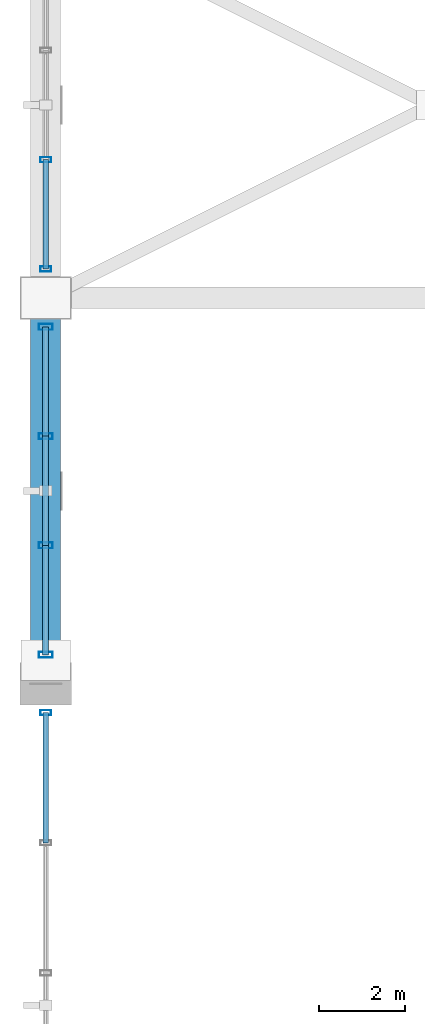
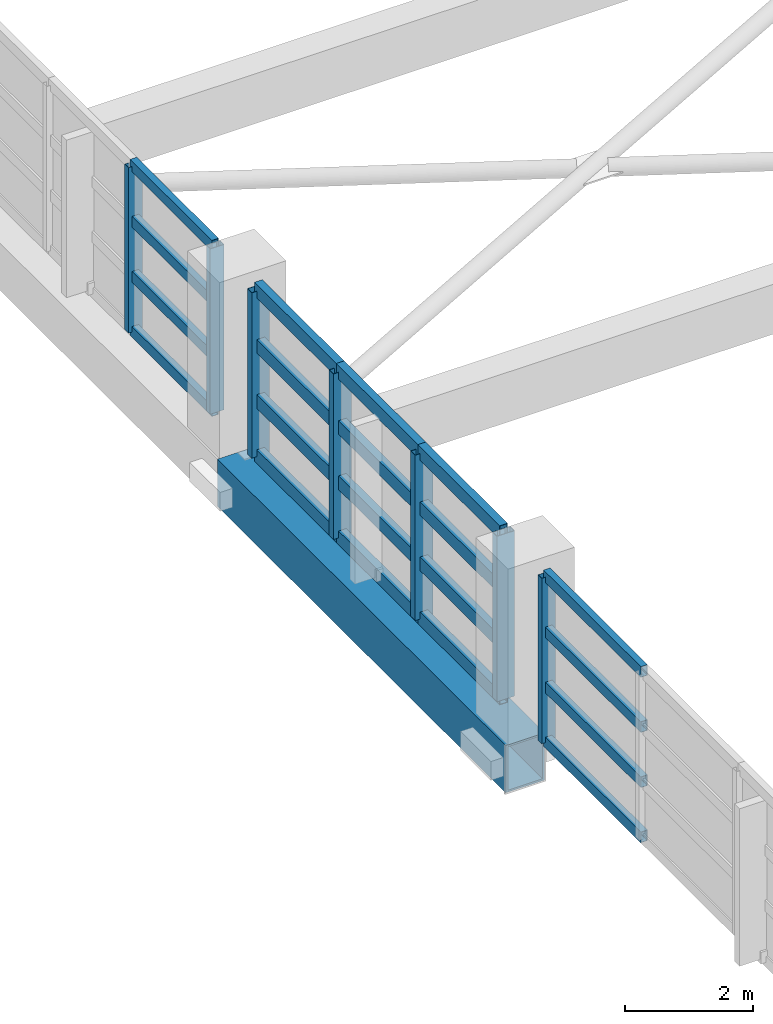
# One storey, part 38 of 116: 27 members, 1 beam, 3 elements without a shape of their own.
"""IFC4 building model written with IfcOpenShell, lengths in metres."""

from ifc_helpers import new_model, si_unit, direction, frame, origin, origin_2d, place, context, subcontext, project, spatial, hollow_rectangle, extrude, material, material_profile, profile_set, type_object, element, aggregate, save


model = new_model("IFC4")

# Units and contexts
model_context = context("Model", 3, precision=1e-05, world=origin(), true_north=direction((0.0, 1.0)))
body_context = subcontext(model_context, "Body", "Model", "MODEL_VIEW")
ifc_project = project(units=[si_unit("LENGTHUNIT", "METRE"), si_unit("AREAUNIT", "SQUARE_METRE"), si_unit("VOLUMEUNIT", "CUBIC_METRE"), si_unit("PLANEANGLEUNIT", "RADIAN"), si_unit("MASSUNIT", "GRAM", prefix="KILO")], contexts=[model_context])

# Site, building, storey
site_placement = place(None, origin())
site = spatial("IfcSite", under=ifc_project, at=site_placement, CompositionType="ELEMENT")
building_placement = place(site_placement, origin())
building = spatial("IfcBuilding", under=site, at=building_placement, Name="Chuanluo Vaults Station", CompositionType="ELEMENT")
storey_placement = place(building_placement, frame((0.0, 0.0, 10.800048828125)))
storey = spatial("IfcBuildingStorey", under=building, at=storey_placement, Name="L02", CompositionType="ELEMENT", Elevation=10.800048828125)

# Beam
ifc_material_1 = material(Name="Steel Q390C", Category="steel")
ifc_material_profile_1 = material_profile(ifc_material_1, hollow_rectangle(XDim=0.699951171875, YDim=0.89990234375, WallThickness=0.035888671875, at=origin_2d()))
ifc_profile_set_1 = profile_set([ifc_material_profile_1], Name="Steel Q390C")
beam_type = type_object("IfcBeamType", Name="BM-TT-TOP", PredefinedType="USERDEFINED", material=ifc_profile_set_1)
beam_placement = place(storey_placement, frame((0.0, 67.5, -0.85009765625), z_axis=(0.0, 1.0, 0.0), x_axis=(-1.0, 0.0, 0.0)))
element("IfcBeam", 1, at=beam_placement, inside=storey, type_object=beam_type, Name="Transfer truss TT-1 top chord 1", ObjectType="GIRDER", PredefinedType="USERDEFINED", context=body_context, shape_type="SweptSolid", body=[
    extrude(hollow_rectangle(XDim=0.699951171875, YDim=0.89990234375, WallThickness=0.035888671875, at=origin_2d()), origin(), (0.0, 0.0, 1.0), 9.0),
])

# Curtain wall, member
ifc_material_2 = material(Name="Anodised aluminium 6063-T6", Category="aluminium")
curtain_wall_type_1 = type_object("IfcCurtainWallType", Name="CW-SYS-11", PredefinedType="NOTDEFINED", material=ifc_material_2)
curtain_wall_1_placement = place(storey_placement, origin())
curtain_wall_1 = element("IfcCurtainWall", 2, at=curtain_wall_1_placement, inside=storey, type_object=curtain_wall_type_1, Name="Train shed west clerestory CW 54", PredefinedType="NOTDEFINED")
ifc_material_3 = material(Name="Anodised aluminium 6063-T6", Category="aluminium")
ifc_material_profile_2 = material_profile(ifc_material_3, hollow_rectangle(XDim=0.1201171875, YDim=0.25, WallThickness=0.006103515625, at=origin_2d()))
ifc_profile_set_2 = profile_set([ifc_material_profile_2], Name="Anodised aluminium 6063-T6")
member_type_1 = type_object("IfcMemberType", Name="CWM-160", PredefinedType="MULLION", material=ifc_profile_set_2)
member_1_placement = place(storey_placement, frame((0.0, 66.824951171875, 0.0), z_axis=(0.0, 0.0, 1.0), x_axis=(0.0, 1.0, 0.0)))
member_1 = element("IfcMember", 3, at=member_1_placement, type_object=member_type_1, Name="Train shed west clerestory CW 54 mullion 5", PredefinedType="MULLION", context=body_context, shape_type="SweptSolid", body=[
    extrude(hollow_rectangle(XDim=0.1201171875, YDim=0.25, WallThickness=0.006103515625, at=origin_2d()), origin(), (0.0, 0.0, 1.0), 3.14990234375),
])

# Curtain wall, members
ifc_material_4 = material(Name="Anodised aluminium 6063-T6", Category="aluminium")
curtain_wall_type_2 = type_object("IfcCurtainWallType", Name="CW-SYS-15", PredefinedType="NOTDEFINED", material=ifc_material_4)
curtain_wall_2_placement = place(storey_placement, origin())
curtain_wall_2 = element("IfcCurtainWall", 4, at=curtain_wall_2_placement, inside=storey, type_object=curtain_wall_type_2, Name="Train shed west clerestory CW 76", PredefinedType="NOTDEFINED")
member_2_placement = place(storey_placement, frame((0.0, 77.175048828125, 0.0), z_axis=(0.0, 0.0, 1.0), x_axis=(0.0, 1.0, 0.0)))
member_2 = element("IfcMember", 5, at=member_2_placement, type_object=member_type_1, Name="Train shed west clerestory CW 76 mullion 1", PredefinedType="MULLION", context=body_context, shape_type="SweptSolid", body=[
    extrude(hollow_rectangle(XDim=0.1201171875, YDim=0.25, WallThickness=0.006103515625, at=origin_2d()), origin(), (0.0, 0.0, 1.0), 3.14990234375),
])
member_3_placement = place(storey_placement, frame((0.0, 79.72509765625, 0.0), z_axis=(0.0, 0.0, 1.0), x_axis=(0.0, 1.0, 0.0)))
member_3 = element("IfcMember", 6, at=member_3_placement, type_object=member_type_1, Name="Train shed west clerestory CW 76 mullion 2", PredefinedType="MULLION", context=body_context, shape_type="SweptSolid", body=[
    extrude(hollow_rectangle(XDim=0.1201171875, YDim=0.25, WallThickness=0.006103515625, at=origin_2d()), origin(), (0.0, 0.0, 1.0), 3.14990234375),
])

ifc_material_5 = material(Name="Anodised aluminium 6063-T6", Category="aluminium")
curtain_wall_type_3 = type_object("IfcCurtainWallType", Name="CW-SYS-13", PredefinedType="NOTDEFINED", material=ifc_material_5)
curtain_wall_3_placement = place(storey_placement, origin())
curtain_wall_3 = element("IfcCurtainWall", 7, at=curtain_wall_3_placement, inside=storey, type_object=curtain_wall_type_3, Name="Train shed west clerestory CW 67", PredefinedType="NOTDEFINED")
ifc_material_6 = material(Name="Anodised aluminium 6063-T6", Category="aluminium")
ifc_material_profile_3 = material_profile(ifc_material_6, hollow_rectangle(XDim=0.139892578125, YDim=0.320068359375, WallThickness=0.008056640625, at=origin_2d()))
ifc_profile_set_3 = profile_set([ifc_material_profile_3], Name="Anodised aluminium 6063-T6")
member_type_2 = type_object("IfcMemberType", Name="CWM-220", PredefinedType="MULLION", material=ifc_profile_set_3)
member_4_placement = place(storey_placement, frame((0.0, 68.175048828125, 0.0), z_axis=(0.0, 0.0, 1.0), x_axis=(0.0, 1.0, 0.0)))
member_4 = element("IfcMember", 8, at=member_4_placement, type_object=member_type_2, Name="Train shed west clerestory CW 67 mullion 1", PredefinedType="MULLION", context=body_context, shape_type="SweptSolid", body=[
    extrude(hollow_rectangle(XDim=0.139892578125, YDim=0.320068359375, WallThickness=0.008056640625, at=origin_2d()), origin(), (0.0, 0.0, 1.0), 3.14990234375),
])
member_5_placement = place(storey_placement, frame((0.0, 70.72509765625, 0.0), z_axis=(0.0, 0.0, 1.0), x_axis=(0.0, 1.0, 0.0)))
member_5 = element("IfcMember", 9, at=member_5_placement, type_object=member_type_2, Name="Train shed west clerestory CW 67 mullion 2", PredefinedType="MULLION", context=body_context, shape_type="SweptSolid", body=[
    extrude(hollow_rectangle(XDim=0.139892578125, YDim=0.320068359375, WallThickness=0.008056640625, at=origin_2d()), origin(), (0.0, 0.0, 1.0), 3.14990234375),
])
member_6_placement = place(storey_placement, frame((0.0, 73.27490234375, 0.0), z_axis=(0.0, 0.0, 1.0), x_axis=(0.0, 1.0, 0.0)))
member_6 = element("IfcMember", 10, at=member_6_placement, type_object=member_type_2, Name="Train shed west clerestory CW 67 mullion 3", PredefinedType="MULLION", context=body_context, shape_type="SweptSolid", body=[
    extrude(hollow_rectangle(XDim=0.139892578125, YDim=0.320068359375, WallThickness=0.008056640625, at=origin_2d()), origin(), (0.0, 0.0, 1.0), 3.14990234375),
])
member_7_placement = place(storey_placement, frame((0.0, 75.824951171875, 0.0), z_axis=(0.0, 0.0, 1.0), x_axis=(0.0, 1.0, 0.0)))
member_7 = element("IfcMember", 11, at=member_7_placement, type_object=member_type_2, Name="Train shed west clerestory CW 67 mullion 4", PredefinedType="MULLION", context=body_context, shape_type="SweptSolid", body=[
    extrude(hollow_rectangle(XDim=0.139892578125, YDim=0.320068359375, WallThickness=0.008056640625, at=origin_2d()), origin(), (0.0, 0.0, 1.0), 3.14990234375),
])

# Member
ifc_material_7 = material(Name="Anodised aluminium 6063-T6", Category="aluminium")
ifc_material_profile_4 = material_profile(ifc_material_7, hollow_rectangle(XDim=0.1201171875, YDim=0.205078125, WallThickness=0.006103515625, at=origin_2d()))
ifc_profile_set_4 = profile_set([ifc_material_profile_4], Name="Anodised aluminium 6063-T6")
member_type_3 = type_object("IfcMemberType", Name="CWT-130", PredefinedType="USERDEFINED", material=ifc_profile_set_4)
member_8_placement = place(storey_placement, frame((0.0, 63.78759765625, 0.0), z_axis=(0.0, 1.0, 0.0), x_axis=(-1.0, 0.0, 0.0)))
member_8 = element("IfcMember", 12, at=member_8_placement, type_object=member_type_3, Name="Train shed west clerestory CW 54 transom 4.1", ObjectType="TRANSOM", PredefinedType="USERDEFINED", context=body_context, shape_type="SweptSolid", body=[
    extrude(hollow_rectangle(XDim=0.1201171875, YDim=0.205078125, WallThickness=0.006103515625, at=origin_2d()), origin(), (0.0, 0.0, 1.0), 3.037353515625),
])

member_9_placement = place(storey_placement, frame((0.0, 63.78759765625, 1.050048828125), z_axis=(0.0, 1.0, 0.0), x_axis=(-1.0, 0.0, 0.0)))
member_9 = element("IfcMember", 13, at=member_9_placement, type_object=member_type_3, Name="Train shed west clerestory CW 54 transom 4.2", ObjectType="TRANSOM", PredefinedType="USERDEFINED", context=body_context, shape_type="SweptSolid", body=[
    extrude(hollow_rectangle(XDim=0.1201171875, YDim=0.205078125, WallThickness=0.006103515625, at=origin_2d()), origin(), (0.0, 0.0, 1.0), 3.037353515625),
])

member_10_placement = place(storey_placement, frame((0.0, 63.78759765625, 2.099853515625), z_axis=(0.0, 1.0, 0.0), x_axis=(-1.0, 0.0, 0.0)))
member_10 = element("IfcMember", 14, at=member_10_placement, type_object=member_type_3, Name="Train shed west clerestory CW 54 transom 4.3", ObjectType="TRANSOM", PredefinedType="USERDEFINED", context=body_context, shape_type="SweptSolid", body=[
    extrude(hollow_rectangle(XDim=0.1201171875, YDim=0.205078125, WallThickness=0.006103515625, at=origin_2d()), origin(), (0.0, 0.0, 1.0), 3.037353515625),
])

member_11_placement = place(storey_placement, frame((0.0, 63.78759765625, 3.14990234375), z_axis=(0.0, 1.0, 0.0), x_axis=(-1.0, 0.0, 0.0)))
member_11 = element("IfcMember", 15, at=member_11_placement, type_object=member_type_3, Name="Train shed west clerestory CW 54 transom 4.4", ObjectType="TRANSOM", PredefinedType="USERDEFINED", context=body_context, shape_type="SweptSolid", body=[
    extrude(hollow_rectangle(XDim=0.1201171875, YDim=0.205078125, WallThickness=0.006103515625, at=origin_2d()), origin(), (0.0, 0.0, 1.0), 3.037353515625),
])

aggregate(curtain_wall_1, [member_1, member_8, member_9, member_10, member_11])

member_12_placement = place(storey_placement, frame((0.0, 77.175048828125, 0.0), z_axis=(0.0, 1.0, 0.0), x_axis=(-1.0, 0.0, 0.0)))
member_12 = element("IfcMember", 16, at=member_12_placement, type_object=member_type_3, Name="Train shed west clerestory CW 76 transom 1.1", ObjectType="TRANSOM", PredefinedType="USERDEFINED", context=body_context, shape_type="SweptSolid", body=[
    extrude(hollow_rectangle(XDim=0.1201171875, YDim=0.205078125, WallThickness=0.006103515625, at=origin_2d()), origin(), (0.0, 0.0, 1.0), 2.550048828125),
])

member_13_placement = place(storey_placement, frame((0.0, 77.175048828125, 1.050048828125), z_axis=(0.0, 1.0, 0.0), x_axis=(-1.0, 0.0, 0.0)))
member_13 = element("IfcMember", 17, at=member_13_placement, type_object=member_type_3, Name="Train shed west clerestory CW 76 transom 1.2", ObjectType="TRANSOM", PredefinedType="USERDEFINED", context=body_context, shape_type="SweptSolid", body=[
    extrude(hollow_rectangle(XDim=0.1201171875, YDim=0.205078125, WallThickness=0.006103515625, at=origin_2d()), origin(), (0.0, 0.0, 1.0), 2.550048828125),
])

member_14_placement = place(storey_placement, frame((0.0, 77.175048828125, 2.099853515625), z_axis=(0.0, 1.0, 0.0), x_axis=(-1.0, 0.0, 0.0)))
member_14 = element("IfcMember", 18, at=member_14_placement, type_object=member_type_3, Name="Train shed west clerestory CW 76 transom 1.3", ObjectType="TRANSOM", PredefinedType="USERDEFINED", context=body_context, shape_type="SweptSolid", body=[
    extrude(hollow_rectangle(XDim=0.1201171875, YDim=0.205078125, WallThickness=0.006103515625, at=origin_2d()), origin(), (0.0, 0.0, 1.0), 2.550048828125),
])

member_15_placement = place(storey_placement, frame((0.0, 77.175048828125, 3.14990234375), z_axis=(0.0, 1.0, 0.0), x_axis=(-1.0, 0.0, 0.0)))
member_15 = element("IfcMember", 19, at=member_15_placement, type_object=member_type_3, Name="Train shed west clerestory CW 76 transom 1.4", ObjectType="TRANSOM", PredefinedType="USERDEFINED", context=body_context, shape_type="SweptSolid", body=[
    extrude(hollow_rectangle(XDim=0.1201171875, YDim=0.205078125, WallThickness=0.006103515625, at=origin_2d()), origin(), (0.0, 0.0, 1.0), 2.550048828125),
])

aggregate(curtain_wall_2, [member_2, member_3, member_12, member_13, member_14, member_15])

ifc_material_8 = material(Name="Anodised aluminium 6063-T6", Category="aluminium")
ifc_material_profile_5 = material_profile(ifc_material_8, hollow_rectangle(XDim=0.139892578125, YDim=0.260009765625, WallThickness=0.007080078125, at=origin_2d()))
ifc_profile_set_5 = profile_set([ifc_material_profile_5], Name="Anodised aluminium 6063-T6")
member_type_4 = type_object("IfcMemberType", Name="CWT-180", PredefinedType="USERDEFINED", material=ifc_profile_set_5)
member_16_placement = place(storey_placement, frame((0.0, 68.175048828125, 0.0), z_axis=(0.0, 1.0, 0.0), x_axis=(-1.0, 0.0, 0.0)))
member_16 = element("IfcMember", 20, at=member_16_placement, type_object=member_type_4, Name="Train shed west clerestory CW 67 transom 1.1", ObjectType="TRANSOM", PredefinedType="USERDEFINED", context=body_context, shape_type="SweptSolid", body=[
    extrude(hollow_rectangle(XDim=0.139892578125, YDim=0.260009765625, WallThickness=0.007080078125, at=origin_2d()), origin(), (0.0, 0.0, 1.0), 2.550048828125),
])

member_17_placement = place(storey_placement, frame((0.0, 68.175048828125, 1.050048828125), z_axis=(0.0, 1.0, 0.0), x_axis=(-1.0, 0.0, 0.0)))
member_17 = element("IfcMember", 21, at=member_17_placement, type_object=member_type_4, Name="Train shed west clerestory CW 67 transom 1.2", ObjectType="TRANSOM", PredefinedType="USERDEFINED", context=body_context, shape_type="SweptSolid", body=[
    extrude(hollow_rectangle(XDim=0.139892578125, YDim=0.260009765625, WallThickness=0.007080078125, at=origin_2d()), origin(), (0.0, 0.0, 1.0), 2.550048828125),
])

member_18_placement = place(storey_placement, frame((0.0, 68.175048828125, 2.099853515625), z_axis=(0.0, 1.0, 0.0), x_axis=(-1.0, 0.0, 0.0)))
member_18 = element("IfcMember", 22, at=member_18_placement, type_object=member_type_4, Name="Train shed west clerestory CW 67 transom 1.3", ObjectType="TRANSOM", PredefinedType="USERDEFINED", context=body_context, shape_type="SweptSolid", body=[
    extrude(hollow_rectangle(XDim=0.139892578125, YDim=0.260009765625, WallThickness=0.007080078125, at=origin_2d()), origin(), (0.0, 0.0, 1.0), 2.550048828125),
])

member_19_placement = place(storey_placement, frame((0.0, 68.175048828125, 3.14990234375), z_axis=(0.0, 1.0, 0.0), x_axis=(-1.0, 0.0, 0.0)))
member_19 = element("IfcMember", 23, at=member_19_placement, type_object=member_type_4, Name="Train shed west clerestory CW 67 transom 1.4", ObjectType="TRANSOM", PredefinedType="USERDEFINED", context=body_context, shape_type="SweptSolid", body=[
    extrude(hollow_rectangle(XDim=0.139892578125, YDim=0.260009765625, WallThickness=0.007080078125, at=origin_2d()), origin(), (0.0, 0.0, 1.0), 2.550048828125),
])

member_20_placement = place(storey_placement, frame((0.0, 70.72509765625, 0.0), z_axis=(0.0, 1.0, 0.0), x_axis=(-1.0, 0.0, 0.0)))
member_20 = element("IfcMember", 24, at=member_20_placement, type_object=member_type_4, Name="Train shed west clerestory CW 67 transom 2.1", ObjectType="TRANSOM", PredefinedType="USERDEFINED", context=body_context, shape_type="SweptSolid", body=[
    extrude(hollow_rectangle(XDim=0.139892578125, YDim=0.260009765625, WallThickness=0.007080078125, at=origin_2d()), origin(), (0.0, 0.0, 1.0), 2.5498046875),
])

member_21_placement = place(storey_placement, frame((0.0, 70.72509765625, 1.050048828125), z_axis=(0.0, 1.0, 0.0), x_axis=(-1.0, 0.0, 0.0)))
member_21 = element("IfcMember", 25, at=member_21_placement, type_object=member_type_4, Name="Train shed west clerestory CW 67 transom 2.2", ObjectType="TRANSOM", PredefinedType="USERDEFINED", context=body_context, shape_type="SweptSolid", body=[
    extrude(hollow_rectangle(XDim=0.139892578125, YDim=0.260009765625, WallThickness=0.007080078125, at=origin_2d()), origin(), (0.0, 0.0, 1.0), 2.5498046875),
])

member_22_placement = place(storey_placement, frame((0.0, 70.72509765625, 2.099853515625), z_axis=(0.0, 1.0, 0.0), x_axis=(-1.0, 0.0, 0.0)))
member_22 = element("IfcMember", 26, at=member_22_placement, type_object=member_type_4, Name="Train shed west clerestory CW 67 transom 2.3", ObjectType="TRANSOM", PredefinedType="USERDEFINED", context=body_context, shape_type="SweptSolid", body=[
    extrude(hollow_rectangle(XDim=0.139892578125, YDim=0.260009765625, WallThickness=0.007080078125, at=origin_2d()), origin(), (0.0, 0.0, 1.0), 2.5498046875),
])

member_23_placement = place(storey_placement, frame((0.0, 70.72509765625, 3.14990234375), z_axis=(0.0, 1.0, 0.0), x_axis=(-1.0, 0.0, 0.0)))
member_23 = element("IfcMember", 27, at=member_23_placement, type_object=member_type_4, Name="Train shed west clerestory CW 67 transom 2.4", ObjectType="TRANSOM", PredefinedType="USERDEFINED", context=body_context, shape_type="SweptSolid", body=[
    extrude(hollow_rectangle(XDim=0.139892578125, YDim=0.260009765625, WallThickness=0.007080078125, at=origin_2d()), origin(), (0.0, 0.0, 1.0), 2.5498046875),
])

member_24_placement = place(storey_placement, frame((0.0, 73.27490234375, 0.0), z_axis=(0.0, 1.0, 0.0), x_axis=(-1.0, 0.0, 0.0)))
member_24 = element("IfcMember", 28, at=member_24_placement, type_object=member_type_4, Name="Train shed west clerestory CW 67 transom 3.1", ObjectType="TRANSOM", PredefinedType="USERDEFINED", context=body_context, shape_type="SweptSolid", body=[
    extrude(hollow_rectangle(XDim=0.139892578125, YDim=0.260009765625, WallThickness=0.007080078125, at=origin_2d()), origin(), (0.0, 0.0, 1.0), 2.550048828125),
])

member_25_placement = place(storey_placement, frame((0.0, 73.27490234375, 1.050048828125), z_axis=(0.0, 1.0, 0.0), x_axis=(-1.0, 0.0, 0.0)))
member_25 = element("IfcMember", 29, at=member_25_placement, type_object=member_type_4, Name="Train shed west clerestory CW 67 transom 3.2", ObjectType="TRANSOM", PredefinedType="USERDEFINED", context=body_context, shape_type="SweptSolid", body=[
    extrude(hollow_rectangle(XDim=0.139892578125, YDim=0.260009765625, WallThickness=0.007080078125, at=origin_2d()), origin(), (0.0, 0.0, 1.0), 2.550048828125),
])

member_26_placement = place(storey_placement, frame((0.0, 73.27490234375, 2.099853515625), z_axis=(0.0, 1.0, 0.0), x_axis=(-1.0, 0.0, 0.0)))
member_26 = element("IfcMember", 30, at=member_26_placement, type_object=member_type_4, Name="Train shed west clerestory CW 67 transom 3.3", ObjectType="TRANSOM", PredefinedType="USERDEFINED", context=body_context, shape_type="SweptSolid", body=[
    extrude(hollow_rectangle(XDim=0.139892578125, YDim=0.260009765625, WallThickness=0.007080078125, at=origin_2d()), origin(), (0.0, 0.0, 1.0), 2.550048828125),
])

member_27_placement = place(storey_placement, frame((0.0, 73.27490234375, 3.14990234375), z_axis=(0.0, 1.0, 0.0), x_axis=(-1.0, 0.0, 0.0)))
member_27 = element("IfcMember", 31, at=member_27_placement, type_object=member_type_4, Name="Train shed west clerestory CW 67 transom 3.4", ObjectType="TRANSOM", PredefinedType="USERDEFINED", context=body_context, shape_type="SweptSolid", body=[
    extrude(hollow_rectangle(XDim=0.139892578125, YDim=0.260009765625, WallThickness=0.007080078125, at=origin_2d()), origin(), (0.0, 0.0, 1.0), 2.550048828125),
])

aggregate(curtain_wall_3, [member_4, member_5, member_6, member_7, member_16, member_17, member_18, member_19, member_20, member_21, member_22, member_23, member_24, member_25, member_26, member_27])

save(model, "model.ifc")
